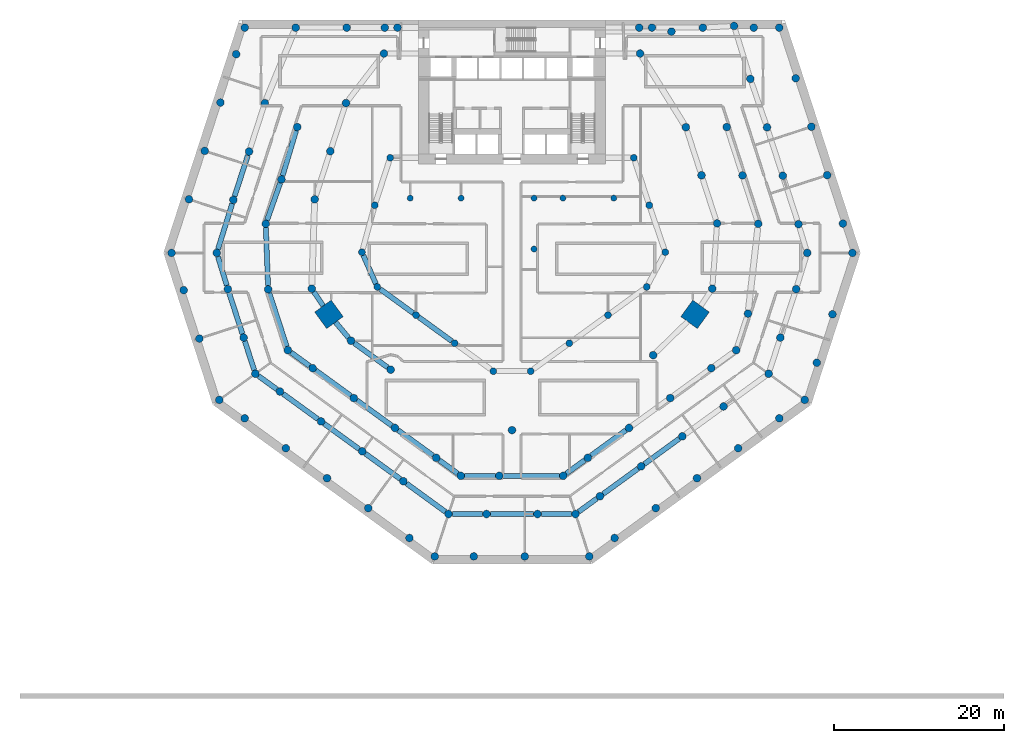
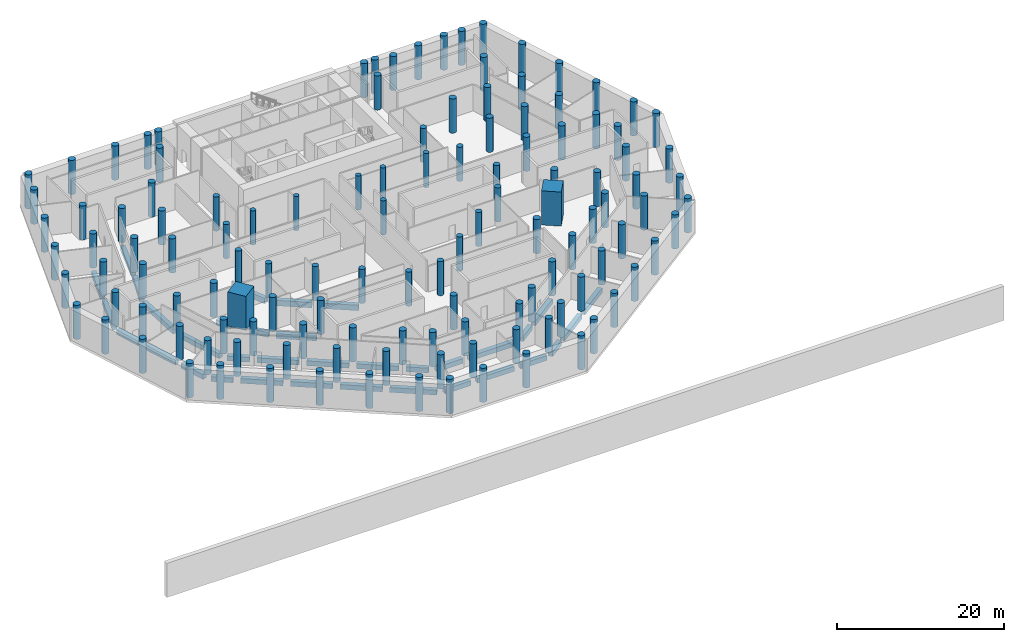
# One storey, part 1 of 10: 126 columns, 35 beams.
"""IFC4 building model written with IfcOpenShell, lengths in metres."""

from ifc_helpers import new_model, si_unit, direction, frame, origin, origin_2d, place, context, subcontext, project, spatial, rectangle, circle, extrude, material, material_profile, profile_set, type_object, element, save


model = new_model("IFC4")

# Units and contexts
model_context = context("Model", 3, precision=1e-05, world=origin(), true_north=direction((0.0, 1.0)))
body_context = subcontext(model_context, "Body", "Model", "MODEL_VIEW")
ifc_project = project(units=[si_unit("LENGTHUNIT", "METRE"), si_unit("AREAUNIT", "SQUARE_METRE"), si_unit("VOLUMEUNIT", "CUBIC_METRE"), si_unit("PLANEANGLEUNIT", "RADIAN"), si_unit("MASSUNIT", "GRAM", prefix="KILO")], contexts=[model_context])

# Site, building, storey
site_placement = place(None, origin())
site = spatial("IfcSite", under=ifc_project, at=site_placement, CompositionType="ELEMENT")
building_placement = place(site_placement, origin())
building = spatial("IfcBuilding", under=site, at=building_placement, Name="White Candle Pilgrim Tower", CompositionType="ELEMENT")
storey_placement = place(building_placement, frame((0.0, 0.0, -5.0)))
storey = spatial("IfcBuildingStorey", under=building, at=storey_placement, Name="B1", CompositionType="ELEMENT", Elevation=-5.0)

# Columns
ifc_material_1 = material(Name="Concrete C80/95", Category="concrete")
ifc_material_profile_1 = material_profile(ifc_material_1, circle(Radius=0.35009765625, at=origin_2d()), Name="RC-COL D700")
ifc_profile_set_1 = profile_set([ifc_material_profile_1], Name="Concrete C80/95")
column_type_1 = type_object("IfcColumnType", Name="Interior column RC-COL D700 C80/95", PredefinedType="COLUMN", material=ifc_profile_set_1)
for number, where, z_axis, x_axis, name in (
    (1, (58.0, 67.0, 0.0), (0.0, 0.0, 1.0), (1.0, 0.0, 0.0), "B1 column I01"),
    (2, (64.0, 67.0, 0.0), (0.0, 0.0, 1.0), (1.0, 0.0, 0.0), "B1 column I02"),
    (3, (72.60009765625, 61.0, 0.0), (0.0, 0.0, 1.0), (1.0, 0.0, 0.0), "B1 column I03"),
    (4, (72.60009765625, 67.0, 0.0), (0.0, 0.0, 1.0), (1.0, 0.0, 0.0), "B1 column I04"),
    (5, (76.0, 67.0, 0.0), (0.0, 0.0, 1.0), (1.0, 0.0, 0.0), "B1 column I05"),
    (6, (82.0, 67.0, 0.0), (0.0, 0.0, 1.0), (1.0, 0.0, 0.0), "B1 column I06"),
):
    element("IfcColumn", number, at=place(storey_placement, frame(where, z_axis=z_axis, x_axis=x_axis)), inside=storey, type_object=column_type_1, Name=name, PredefinedType="COLUMN", context=body_context, shape_type="SweptSolid", body=[
        extrude(circle(Radius=0.35009765625, at=origin_2d()), origin(), (0.0, 0.0, 1.0), 5.0),
    ])
ifc_material_profile_2 = material_profile(ifc_material_1, rectangle(XDim=2.39990234375, YDim=2.39990234375, at=origin_2d()), Name="RC 2400x2400")
ifc_profile_set_2 = profile_set([ifc_material_profile_2], Name="Concrete C80/95")
column_type_2 = type_object("IfcColumnType", Name="Mega column RC 2400x2400 C80/95", PredefinedType="COLUMN", material=ifc_profile_set_2)
for number, where, z_axis, x_axis, name in (
    (7, (48.419921875, 53.300048828125, 0.0), (0.0, 0.0, 1.0), (-0.809016994375, -0.587785252292, 0.0), "B1 mega column T02"),
    (8, (91.580078125, 53.300048828125, 0.0), (0.0, 0.0, 1.0), (0.809016994375, -0.587785252292, 0.0), "B1 mega column T07"),
):
    element("IfcColumn", number, at=place(storey_placement, frame(where, z_axis=z_axis, x_axis=x_axis)), inside=storey, type_object=column_type_2, Name=name, PredefinedType="COLUMN", context=body_context, shape_type="SweptSolid", body=[
        extrude(rectangle(XDim=2.39990234375, YDim=2.39990234375, at=origin_2d()), origin(), (0.0, 0.0, 1.0), 5.0),
    ])
ifc_material_profile_3 = material_profile(ifc_material_1, circle(Radius=0.449951171875, at=origin_2d()), Name="RC-COL D900")
ifc_profile_set_3 = profile_set([ifc_material_profile_3], Name="Concrete C80/95")
column_type_3 = type_object("IfcColumnType", Name="Perimeter column RC-COL D900 C80/95", PredefinedType="COLUMN", material=ifc_profile_set_3)
for number, where, z_axis, x_axis, name in (
    (9, (46.389892578125, 56.330078125, 0.0), (0.0, 0.0, 1.0), (1.0, 0.0, 0.0), "B1 column T01"),
    (10, (51.02001953125, 50.18994140625, 0.0), (0.0, 0.0, 1.0), (1.0, 0.0, 0.0), "B1 column T03"),
    (11, (55.699951171875, 46.780029296875, 0.0), (0.0, 0.0, 1.0), (1.0, 0.0, 0.0), "B1 column T04"),
    (12, (70.0, 39.64990234375, 0.0), (0.0, 0.0, 1.0), (1.0, 0.0, 0.0), "B1 column T05"),
    (13, (86.639892578125, 48.489990234375, 0.0), (0.0, 0.0, 1.0), (1.0, 0.0, 0.0), "B1 column T06"),
    (14, (93.610107421875, 56.330078125, 0.0), (0.0, 0.0, 1.0), (1.0, 0.0, 0.0), "B1 column T08"),
    (15, (94.179931640625, 64.02001953125, 0.0), (0.0, 0.0, 1.0), (1.0, 0.0, 0.0), "B1 column T09"),
    (16, (92.340087890625, 69.68994140625, 0.0), (0.0, 0.0, 1.0), (1.0, 0.0, 0.0), "B1 column T10"),
    (17, (90.5, 75.360107421875, 0.0), (0.0, 0.0, 1.0), (1.0, 0.0, 0.0), "B1 column T11"),
    (18, (85.10009765625, 84.050048828125, 0.0), (0.0, 0.0, 1.0), (1.0, 0.0, 0.0), "B1 column T12"),
    (19, (54.89990234375, 84.050048828125, 0.0), (0.0, 0.0, 1.0), (1.0, 0.0, 0.0), "B1 column T13"),
    (20, (50.429931640625, 78.199951171875, 0.0), (0.0, 0.0, 1.0), (1.0, 0.0, 0.0), "B1 column T14"),
    (21, (48.580078125, 72.530029296875, 0.0), (0.0, 0.0, 1.0), (1.0, 0.0, 0.0), "B1 column T15"),
    (22, (46.739990234375, 66.860107421875, 0.0), (0.0, 0.0, 1.0), (1.0, 0.0, 0.0), "B1 column T16"),
    (23, (29.865966796875, 60.5390625, 0.0), (0.0, 0.0, 1.0), (1.0, 0.0, 0.0), "B1 column A01"),
    (24, (31.291015625, 56.154052734375, 0.0), (0.0, 0.0, 1.0), (1.0, 0.0, 0.0), "B1 column A02"),
    (25, (33.14501953125, 50.447998046875, 0.0), (0.0, 0.0, 1.0), (1.0, 0.0, 0.0), "B1 column A03"),
    (26, (35.4970703125, 43.2099609375, 0.0), (0.0, 0.0, 1.0), (1.0, 0.0, 0.0), "B1 column A04"),
    (27, (38.485107421875, 41.0390625, 0.0), (0.0, 0.0, 1.0), (1.0, 0.0, 0.0), "B1 column A05"),
    (28, (43.339111328125, 37.511962890625, 0.0), (0.0, 0.0, 1.0), (1.0, 0.0, 0.0), "B1 column A06"),
    (29, (48.193115234375, 33.985107421875, 0.0), (0.0, 0.0, 1.0), (1.0, 0.0, 0.0), "B1 column A07"),
    (30, (53.047119140625, 30.458984375, 0.0), (0.0, 0.0, 1.0), (1.0, 0.0, 0.0), "B1 column A08"),
    (31, (57.90087890625, 26.931884765625, 0.0), (0.0, 0.0, 1.0), (1.0, 0.0, 0.0), "B1 column A09"),
    (32, (60.888916015625, 24.760986328125, 0.0), (0.0, 0.0, 1.0), (1.0, 0.0, 0.0), "B1 column A10"),
    (33, (65.5, 24.760986328125, 0.0), (0.0, 0.0, 1.0), (1.0, 0.0, 0.0), "B1 column A11"),
    (34, (71.5, 24.760986328125, 0.0), (0.0, 0.0, 1.0), (1.0, 0.0, 0.0), "B1 column A12"),
    (35, (79.111083984375, 24.760986328125, 0.0), (0.0, 0.0, 1.0), (1.0, 0.0, 0.0), "B1 column A13"),
    (36, (82.09912109375, 26.931884765625, 0.0), (0.0, 0.0, 1.0), (1.0, 0.0, 0.0), "B1 column A14"),
    (37, (86.952880859375, 30.458984375, 0.0), (0.0, 0.0, 1.0), (1.0, 0.0, 0.0), "B1 column A15"),
    (38, (91.806884765625, 33.985107421875, 0.0), (0.0, 0.0, 1.0), (1.0, 0.0, 0.0), "B1 column A16"),
    (39, (96.660888671875, 37.511962890625, 0.0), (0.0, 0.0, 1.0), (1.0, 0.0, 0.0), "B1 column A17"),
    (40, (101.514892578125, 41.0390625, 0.0), (0.0, 0.0, 1.0), (1.0, 0.0, 0.0), "B1 column A18"),
    (41, (104.5029296875, 43.2099609375, 0.0), (0.0, 0.0, 1.0), (1.0, 0.0, 0.0), "B1 column A19"),
    (42, (105.927978515625, 47.594970703125, 0.0), (0.0, 0.0, 1.0), (1.0, 0.0, 0.0), "B1 column A20"),
    (43, (107.781982421875, 53.301025390625, 0.0), (0.0, 0.0, 1.0), (1.0, 0.0, 0.0), "B1 column A21"),
    (44, (110.134033203125, 60.5390625, 0.0), (0.0, 0.0, 1.0), (1.0, 0.0, 0.0), "B1 column A22"),
    (45, (109.008056640625, 64.0048828125, 0.0), (0.0, 0.0, 1.0), (1.0, 0.0, 0.0), "B1 column A23"),
    (46, (107.153076171875, 69.7119140625, 0.0), (0.0, 0.0, 1.0), (1.0, 0.0, 0.0), "B1 column A24"),
    (47, (105.299072265625, 75.41796875, 0.0), (0.0, 0.0, 1.0), (1.0, 0.0, 0.0), "B1 column A25"),
    (48, (103.445068359375, 81.1240234375, 0.0), (0.0, 0.0, 1.0), (1.0, 0.0, 0.0), "B1 column A26"),
    (49, (101.50390625, 87.10009765625, 0.0), (0.0, 0.0, 1.0), (1.0, 0.0, 0.0), "B1 column A27"),
    (50, (98.5, 87.10009765625, 0.0), (0.0, 0.0, 1.0), (1.0, 0.0, 0.0), "B1 column A28"),
    (51, (92.5, 87.10009765625, 0.0), (0.0, 0.0, 1.0), (1.0, 0.0, 0.0), "B1 column A29"),
    (52, (86.5, 87.10009765625, 0.0), (0.0, 0.0, 1.0), (1.0, 0.0, 0.0), "B1 column A30"),
    (53, (56.5, 87.10009765625, 0.0), (0.0, 0.0, 1.0), (1.0, 0.0, 0.0), "B1 column A31"),
    (54, (50.5, 87.10009765625, 0.0), (0.0, 0.0, 1.0), (1.0, 0.0, 0.0), "B1 column A32"),
    (55, (44.5, 87.10009765625, 0.0), (0.0, 0.0, 1.0), (1.0, 0.0, 0.0), "B1 column A33"),
    (56, (38.49609375, 87.10009765625, 0.0), (0.0, 0.0, 1.0), (1.0, 0.0, 0.0), "B1 column A34"),
    (57, (37.48193359375, 83.97802734375, 0.0), (0.0, 0.0, 1.0), (1.0, 0.0, 0.0), "B1 column A35"),
    (58, (35.6279296875, 78.27099609375, 0.0), (0.0, 0.0, 1.0), (1.0, 0.0, 0.0), "B1 column A36"),
    (59, (33.77392578125, 72.56494140625, 0.0), (0.0, 0.0, 1.0), (1.0, 0.0, 0.0), "B1 column A37"),
    (60, (31.919921875, 66.85888671875, 0.0), (0.0, 0.0, 1.0), (1.0, 0.0, 0.0), "B1 column A38"),
    (61, (35.199951171875, 60.5390625, 0.0), (0.0, 0.0, 1.0), (1.0, 0.0, 0.0), "B1 column B01"),
    (62, (36.510009765625, 56.27294921875, 0.0), (0.0, 0.0, 1.0), (1.0, 0.0, 0.0), "B1 column B02"),
    (63, (38.364013671875, 50.56591796875, 0.0), (0.0, 0.0, 1.0), (1.0, 0.0, 0.0), "B1 column B03"),
    (64, (39.75, 46.300048828125, 0.0), (0.0, 0.0, 1.0), (1.0, 0.0, 0.0), "B1 column B04"),
    (65, (42.636962890625, 44.201904296875, 0.0), (0.0, 0.0, 1.0), (1.0, 0.0, 0.0), "B1 column B05"),
    (66, (47.491943359375, 40.676025390625, 0.0), (0.0, 0.0, 1.0), (1.0, 0.0, 0.0), "B1 column B06"),
    (67, (52.345947265625, 37.14892578125, 0.0), (0.0, 0.0, 1.0), (1.0, 0.0, 0.0), "B1 column B07"),
    (68, (57.199951171875, 33.6220703125, 0.0), (0.0, 0.0, 1.0), (1.0, 0.0, 0.0), "B1 column B08"),
    (69, (62.513916015625, 29.760986328125, 0.0), (0.0, 0.0, 1.0), (1.0, 0.0, 0.0), "B1 column B09"),
    (70, (67.0, 29.760986328125, 0.0), (0.0, 0.0, 1.0), (1.0, 0.0, 0.0), "B1 column B10"),
    (71, (73.0, 29.760986328125, 0.0), (0.0, 0.0, 1.0), (1.0, 0.0, 0.0), "B1 column B11"),
    (72, (77.486083984375, 29.760986328125, 0.0), (0.0, 0.0, 1.0), (1.0, 0.0, 0.0), "B1 column B12"),
    (73, (80.373046875, 31.85888671875, 0.0), (0.0, 0.0, 1.0), (1.0, 0.0, 0.0), "B1 column B13"),
    (74, (85.22705078125, 35.385986328125, 0.0), (0.0, 0.0, 1.0), (1.0, 0.0, 0.0), "B1 column B14"),
    (75, (90.0810546875, 38.912109375, 0.0), (0.0, 0.0, 1.0), (1.0, 0.0, 0.0), "B1 column B15"),
    (76, (94.93603515625, 42.43896484375, 0.0), (0.0, 0.0, 1.0), (1.0, 0.0, 0.0), "B1 column B16"),
    (77, (100.25, 46.300048828125, 0.0), (0.0, 0.0, 1.0), (1.0, 0.0, 0.0), "B1 column B17"),
    (78, (101.635986328125, 50.56591796875, 0.0), (0.0, 0.0, 1.0), (1.0, 0.0, 0.0), "B1 column B18"),
    (79, (103.489990234375, 56.27294921875, 0.0), (0.0, 0.0, 1.0), (1.0, 0.0, 0.0), "B1 column B19"),
    (80, (104.800048828125, 60.5390625, 0.0), (0.0, 0.0, 1.0), (1.0, 0.0, 0.0), "B1 column B20"),
    (81, (103.77392578125, 63.93310546875, 0.0), (0.0, 0.0, 1.0), (1.0, 0.0, 0.0), "B1 column B21"),
    (82, (101.9189453125, 69.639892578125, 0.0), (0.0, 0.0, 1.0), (1.0, 0.0, 0.0), "B1 column B22"),
    (83, (100.06494140625, 75.345947265625, 0.0), (0.0, 0.0, 1.0), (1.0, 0.0, 0.0), "B1 column B23"),
    (84, (98.10107421875, 81.052001953125, 0.0), (0.0, 0.0, 1.0), (1.0, 0.0, 0.0), "B1 column B24"),
    (85, (96.180908203125, 87.300048828125, 0.0), (0.0, 0.0, 1.0), (1.0, 0.0, 0.0), "B1 column B25"),
    (86, (40.862060546875, 78.198974609375, 0.0), (0.0, 0.0, 1.0), (1.0, 0.0, 0.0), "B1 column B33"),
    (87, (39.008056640625, 72.492919921875, 0.0), (0.0, 0.0, 1.0), (1.0, 0.0, 0.0), "B1 column B34"),
    (88, (37.153076171875, 66.787109375, 0.0), (0.0, 0.0, 1.0), (1.0, 0.0, 0.0), "B1 column B35"),
    (89, (41.2529296875, 56.237060546875, 0.0), (0.0, 0.0, 1.0), (1.0, 0.0, 0.0), "B1 column C01"),
    (90, (43.577880859375, 49.0810546875, 0.0), (0.0, 0.0, 1.0), (1.0, 0.0, 0.0), "B1 column C02"),
    (91, (46.49609375, 46.9609375, 0.0), (0.0, 0.0, 1.0), (1.0, 0.0, 0.0), "B1 column C03"),
    (92, (51.35009765625, 43.43408203125, 0.0), (0.0, 0.0, 1.0), (1.0, 0.0, 0.0), "B1 column C04"),
    (93, (56.2041015625, 39.907958984375, 0.0), (0.0, 0.0, 1.0), (1.0, 0.0, 0.0), "B1 column C05"),
    (94, (61.05810546875, 36.381103515625, 0.0), (0.0, 0.0, 1.0), (1.0, 0.0, 0.0), "B1 column C06"),
    (95, (63.97607421875, 34.260986328125, 0.0), (0.0, 0.0, 1.0), (1.0, 0.0, 0.0), "B1 column C07"),
    (96, (68.5, 34.260986328125, 0.0), (0.0, 0.0, 1.0), (1.0, 0.0, 0.0), "B1 column C08"),
    (97, (76.02392578125, 34.260986328125, 0.0), (0.0, 0.0, 1.0), (1.0, 0.0, 0.0), "B1 column C09"),
    (98, (78.94189453125, 36.381103515625, 0.0), (0.0, 0.0, 1.0), (1.0, 0.0, 0.0), "B1 column C10"),
    (99, (83.7958984375, 39.907958984375, 0.0), (0.0, 0.0, 1.0), (1.0, 0.0, 0.0), "B1 column C11"),
    (100, (88.64990234375, 43.43408203125, 0.0), (0.0, 0.0, 1.0), (1.0, 0.0, 0.0), "B1 column C12"),
    (101, (93.50390625, 46.9609375, 0.0), (0.0, 0.0, 1.0), (1.0, 0.0, 0.0), "B1 column C13"),
    (102, (96.422119140625, 49.0810546875, 0.0), (0.0, 0.0, 1.0), (1.0, 0.0, 0.0), "B1 column C14"),
    (103, (97.820068359375, 53.384033203125, 0.0), (0.0, 0.0, 1.0), (1.0, 0.0, 0.0), "B1 column C15"),
    (104, (99.030029296875, 63.968994140625, 0.0), (0.0, 0.0, 1.0), (1.0, 0.0, 0.0), "B1 column C16"),
    (105, (97.176025390625, 69.676025390625, 0.0), (0.0, 0.0, 1.0), (1.0, 0.0, 0.0), "B1 column C17"),
    (106, (95.322021484375, 75.382080078125, 0.0), (0.0, 0.0, 1.0), (1.0, 0.0, 0.0), "B1 column C18"),
    (107, (88.800048828125, 86.631103515625, 0.0), (0.0, 0.0, 1.0), (1.0, 0.0, 0.0), "B1 column C19"),
    (108, (85.0, 87.10009765625, 0.0), (0.0, 0.0, 1.0), (1.0, 0.0, 0.0), "B1 column C20"),
    (109, (55.0, 87.10009765625, 0.0), (0.0, 0.0, 1.0), (1.0, 0.0, 0.0), "B1 column C21"),
    (110, (44.677978515625, 75.382080078125, 0.0), (0.0, 0.0, 1.0), (1.0, 0.0, 0.0), "B1 column C23"),
    (111, (42.823974609375, 69.20703125, 0.0), (0.0, 0.0, 1.0), (1.0, 0.0, 0.0), "B1 column C24"),
    (112, (40.969970703125, 63.968994140625, 0.0), (0.0, 0.0, 1.0), (1.0, 0.0, 0.0), "B1 column C25"),
):
    element("IfcColumn", number, at=place(storey_placement, frame(where, z_axis=z_axis, x_axis=x_axis)), inside=storey, type_object=column_type_3, Name=name, PredefinedType="COLUMN", context=body_context, shape_type="SweptSolid", body=[
        extrude(circle(Radius=0.449951171875, at=origin_2d()), origin(), (0.0, 0.0, 1.0), 5.0),
    ])
ifc_material_profile_4 = material_profile(ifc_material_1, circle(Radius=0.39990234375, at=origin_2d()), Name="RC-COL D800")
ifc_profile_set_4 = profile_set([ifc_material_profile_4], Name="Concrete C80/95")
column_type_4 = type_object("IfcColumnType", Name="Ring column RC-COL D800 C80/95", PredefinedType="COLUMN", material=ifc_profile_set_4)
for number, where, z_axis, x_axis, name in (
    (113, (52.31005859375, 60.6298828125, 0.0), (0.0, 0.0, 1.0), (1.0, 0.0, 0.0), "B1 column R01"),
    (114, (54.1201171875, 56.530029296875, 0.0), (0.0, 0.0, 1.0), (1.0, 0.0, 0.0), "B1 column R02"),
    (115, (58.679931640625, 53.2099609375, 0.0), (0.0, 0.0, 1.0), (1.0, 0.0, 0.0), "B1 column R03"),
    (116, (63.239990234375, 49.89990234375, 0.0), (0.0, 0.0, 1.0), (1.0, 0.0, 0.0), "B1 column R04"),
    (117, (67.800048828125, 46.60009765625, 0.0), (0.0, 0.0, 1.0), (1.0, 0.0, 0.0), "B1 column R05"),
    (118, (72.199951171875, 46.60009765625, 0.0), (0.0, 0.0, 1.0), (1.0, 0.0, 0.0), "B1 column R06"),
    (119, (76.760009765625, 49.89990234375, 0.0), (0.0, 0.0, 1.0), (1.0, 0.0, 0.0), "B1 column R07"),
    (120, (81.320068359375, 53.2099609375, 0.0), (0.0, 0.0, 1.0), (1.0, 0.0, 0.0), "B1 column R08"),
    (121, (85.8798828125, 56.530029296875, 0.0), (0.0, 0.0, 1.0), (1.0, 0.0, 0.0), "B1 column R09"),
    (122, (88.070068359375, 60.6298828125, 0.0), (0.0, 0.0, 1.0), (1.0, 0.0, 0.0), "B1 column R10"),
    (123, (86.179931640625, 66.159912109375, 0.0), (0.0, 0.0, 1.0), (1.0, 0.0, 0.0), "B1 column R11"),
    (124, (84.360107421875, 71.760009765625, 0.0), (0.0, 0.0, 1.0), (1.0, 0.0, 0.0), "B1 column R12"),
    (125, (55.639892578125, 71.760009765625, 0.0), (0.0, 0.0, 1.0), (1.0, 0.0, 0.0), "B1 column R13"),
    (126, (53.820068359375, 66.159912109375, 0.0), (0.0, 0.0, 1.0), (1.0, 0.0, 0.0), "B1 column R14"),
):
    element("IfcColumn", number, at=place(storey_placement, frame(where, z_axis=z_axis, x_axis=x_axis)), inside=storey, type_object=column_type_4, Name=name, PredefinedType="COLUMN", context=body_context, shape_type="SweptSolid", body=[
        extrude(circle(Radius=0.39990234375, at=origin_2d()), origin(), (0.0, 0.0, 1.0), 5.0),
    ])

# Beams
ifc_material_2 = material(Name="Concrete C50/60", Category="concrete")
ifc_material_profile_5 = material_profile(ifc_material_2, rectangle(XDim=0.60009765625, YDim=0.800048828125, at=origin_2d()), Name="RC-BM 600x800")
ifc_profile_set_5 = profile_set([ifc_material_profile_5], Name="Concrete C50/60")
beam_type_1 = type_object("IfcBeamType", Name="Ring beam RC-BM 600x800 C50/60", PredefinedType="BEAM", material=ifc_profile_set_5)
beam_1_placement = place(storey_placement, frame((52.471435546875, 60.264404296875, -0.75), z_axis=(0.403842605997, -0.914828480963, 0.0), x_axis=(0.914828480963, 0.403842605997, 0.0)))
element("IfcBeam", 127, at=beam_1_placement, inside=storey, type_object=beam_type_1, Name="B1 ring beam R01", PredefinedType="BEAM", context=body_context, shape_type="SweptSolid", body=[
    extrude(rectangle(XDim=0.60009765625, YDim=0.800048828125, at=origin_2d()), origin(), (0.0, 0.0, 1.0), 3.682373046875),
])
beam_2_placement = place(storey_placement, frame((54.443115234375, 56.294677734375, -0.75), z_axis=(0.808428473545, -0.588594430115, 0.0), x_axis=(0.588594430115, 0.808428473545, 0.0)))
element("IfcBeam", 128, at=beam_2_placement, inside=storey, type_object=beam_type_1, Name="B1 ring beam R02", PredefinedType="BEAM", context=body_context, shape_type="SweptSolid", body=[
    extrude(rectangle(XDim=0.60009765625, YDim=0.800048828125, at=origin_2d()), origin(), (0.0, 0.0, 1.0), 4.841064453125),
])
beam_3_placement = place(storey_placement, frame((59.00341796875, 52.97509765625, -0.75), z_axis=(0.809305595912, -0.587387821141, 0.0), x_axis=(0.587387821141, 0.809305595912, 0.0)))
element("IfcBeam", 129, at=beam_3_placement, inside=storey, type_object=beam_type_1, Name="B1 ring beam R03", PredefinedType="BEAM", context=body_context, shape_type="SweptSolid", body=[
    extrude(rectangle(XDim=0.60009765625, YDim=0.800048828125, at=origin_2d()), origin(), (0.0, 0.0, 1.0), 4.835205078125),
])
ifc_material_profile_6 = material_profile(ifc_material_2, rectangle(XDim=0.60009765625, YDim=0.699951171875, at=origin_2d()), Name="RC-BM 600x700")
ifc_profile_set_6 = profile_set([ifc_material_profile_6], Name="Concrete C50/60")
beam_type_2 = type_object("IfcBeamType", Name="Spandrel beam RC-BM 600x700 C50/60", PredefinedType="BEAM", material=ifc_profile_set_6)
beam_4_placement = place(storey_placement, frame((46.640380859375, 55.956298828125, -0.699951171875), z_axis=(0.556617573138, -0.830768847077, 0.0), x_axis=(0.830768847077, 0.556617573138, 0.0)))
element("IfcBeam", 130, at=beam_4_placement, inside=storey, type_object=beam_type_2, Name="B1 spandrel beam T01", PredefinedType="BEAM", context=body_context, shape_type="SweptSolid", body=[
    extrude(rectangle(XDim=0.60009765625, YDim=0.699951171875, at=origin_2d()), origin(), (0.0, 0.0, 1.0), 1.99658203125),
])
beam_5_placement = place(storey_placement, frame((49.19140625, 52.377197265625, -0.699951171875), z_axis=(0.641413771477, -0.767195134083, 0.0), x_axis=(0.767195134083, 0.641413771477, 0.0)))
element("IfcBeam", 131, at=beam_5_placement, inside=storey, type_object=beam_type_2, Name="B1 spandrel beam T02", PredefinedType="BEAM", context=body_context, shape_type="SweptSolid", body=[
    extrude(rectangle(XDim=0.60009765625, YDim=0.699951171875, at=origin_2d()), origin(), (0.0, 0.0, 1.0), 2.401123046875),
])
beam_6_placement = place(storey_placement, frame((51.383544921875, 49.925048828125, -0.699951171875), z_axis=(0.808219865497, -0.588880844498, 0.0), x_axis=(0.588880844498, 0.808219865497, 0.0)))
element("IfcBeam", 132, at=beam_6_placement, inside=storey, type_object=beam_type_2, Name="B1 spandrel beam T03", PredefinedType="BEAM", context=body_context, shape_type="SweptSolid", body=[
    extrude(rectangle(XDim=0.60009765625, YDim=0.699951171875, at=origin_2d()), origin(), (0.0, 0.0, 1.0), 4.890869140625),
])
beam_7_placement = place(storey_placement, frame((35.33203125, 60.109130859375, -0.699951171875), z_axis=(0.293527291605, -0.955950693856, 0.0), x_axis=(0.955950693856, 0.293527291605, 0.0)))
element("IfcBeam", 133, at=beam_7_placement, inside=storey, type_object=beam_type_2, Name="B1 spandrel beam B01", PredefinedType="BEAM", context=body_context, shape_type="SweptSolid", body=[
    extrude(rectangle(XDim=0.60009765625, YDim=0.699951171875, at=origin_2d()), origin(), (0.0, 0.0, 1.0), 3.563232421875),
])
beam_8_placement = place(storey_placement, frame((36.64892578125, 55.84521484375, -0.699951171875), z_axis=(0.308996245399, -0.951063257796, 0.0), x_axis=(0.951063257796, 0.308996245399, 0.0)))
element("IfcBeam", 134, at=beam_8_placement, inside=storey, type_object=beam_type_2, Name="B1 spandrel beam B02", PredefinedType="BEAM", context=body_context, shape_type="SweptSolid", body=[
    extrude(rectangle(XDim=0.60009765625, YDim=0.699951171875, at=origin_2d()), origin(), (0.0, 0.0, 1.0), 5.100830078125),
])
beam_9_placement = place(storey_placement, frame((38.5029296875, 50.13818359375, -0.699951171875), z_axis=(0.309029111375, -0.951052579158, 0.0), x_axis=(0.951052579158, 0.309029111375, 0.0)))
element("IfcBeam", 135, at=beam_9_placement, inside=storey, type_object=beam_type_2, Name="B1 spandrel beam B03", PredefinedType="BEAM", context=body_context, shape_type="SweptSolid", body=[
    extrude(rectangle(XDim=0.60009765625, YDim=0.699951171875, at=origin_2d()), origin(), (0.0, 0.0, 1.0), 3.5859375),
])
beam_10_placement = place(storey_placement, frame((40.11376953125, 46.03564453125, -0.699951171875), z_axis=(0.808941690676, -0.587888884982, 0.0), x_axis=(0.587888884982, 0.808941690676, 0.0)))
element("IfcBeam", 136, at=beam_10_placement, inside=storey, type_object=beam_type_2, Name="B1 spandrel beam B04", PredefinedType="BEAM", context=body_context, shape_type="SweptSolid", body=[
    extrude(rectangle(XDim=0.60009765625, YDim=0.699951171875, at=origin_2d()), origin(), (0.0, 0.0, 1.0), 2.66943359375),
])
beam_11_placement = place(storey_placement, frame((43.0009765625, 43.937744140625, -0.699951171875), z_axis=(0.809112607881, -0.587653629078, 0.0), x_axis=(0.587653629078, 0.809112607881, 0.0)))
element("IfcBeam", 137, at=beam_11_placement, inside=storey, type_object=beam_type_2, Name="B1 spandrel beam B05", PredefinedType="BEAM", context=body_context, shape_type="SweptSolid", body=[
    extrude(rectangle(XDim=0.60009765625, YDim=0.699951171875, at=origin_2d()), origin(), (0.0, 0.0, 1.0), 5.100830078125),
])
beam_12_placement = place(storey_placement, frame((47.85595703125, 40.41162109375, -0.699951171875), z_axis=(0.808978190317, -0.587838657789, 0.0), x_axis=(0.587838657789, 0.808978190317, 0.0)))
element("IfcBeam", 138, at=beam_12_placement, inside=storey, type_object=beam_type_2, Name="B1 spandrel beam B06", PredefinedType="BEAM", context=body_context, shape_type="SweptSolid", body=[
    extrude(rectangle(XDim=0.60009765625, YDim=0.699951171875, at=origin_2d()), origin(), (0.0, 0.0, 1.0), 5.1005859375),
])
beam_13_placement = place(storey_placement, frame((52.7099609375, 36.884521484375, -0.699951171875), z_axis=(0.80900095282, -0.587807330965, 0.0), x_axis=(0.587807330965, 0.80900095282, 0.0)))
element("IfcBeam", 139, at=beam_13_placement, inside=storey, type_object=beam_type_2, Name="B1 spandrel beam B07", PredefinedType="BEAM", context=body_context, shape_type="SweptSolid", body=[
    extrude(rectangle(XDim=0.60009765625, YDim=0.699951171875, at=origin_2d()), origin(), (0.0, 0.0, 1.0), 5.100341796875),
])
beam_14_placement = place(storey_placement, frame((57.56396484375, 33.357666015625, -0.699951171875), z_axis=(0.808998591139, -0.587810581339, 0.0), x_axis=(0.587810581339, 0.808998591139, 0.0)))
element("IfcBeam", 140, at=beam_14_placement, inside=storey, type_object=beam_type_2, Name="B1 spandrel beam B08", PredefinedType="BEAM", context=body_context, shape_type="SweptSolid", body=[
    extrude(rectangle(XDim=0.60009765625, YDim=0.699951171875, at=origin_2d()), origin(), (0.0, 0.0, 1.0), 5.6689453125),
])
beam_15_placement = place(storey_placement, frame((62.964111328125, 29.760986328125, -0.699951171875), z_axis=(1.0, 0.0, 0.0), x_axis=(0.0, 1.0, 0.0)))
element("IfcBeam", 141, at=beam_15_placement, inside=storey, type_object=beam_type_2, Name="B1 spandrel beam B09", PredefinedType="BEAM", context=body_context, shape_type="SweptSolid", body=[
    extrude(rectangle(XDim=0.60009765625, YDim=0.699951171875, at=origin_2d()), origin(), (0.0, 0.0, 1.0), 3.5859375),
])
beam_16_placement = place(storey_placement, frame((67.449951171875, 29.760986328125, -0.699951171875), z_axis=(1.0, 0.0, 0.0), x_axis=(0.0, 1.0, 0.0)))
element("IfcBeam", 142, at=beam_16_placement, inside=storey, type_object=beam_type_2, Name="B1 spandrel beam B10", PredefinedType="BEAM", context=body_context, shape_type="SweptSolid", body=[
    extrude(rectangle(XDim=0.60009765625, YDim=0.699951171875, at=origin_2d()), origin(), (0.0, 0.0, 1.0), 5.10009765625),
])
beam_17_placement = place(storey_placement, frame((73.449951171875, 29.760986328125, -0.699951171875), z_axis=(1.0, 0.0, 0.0), x_axis=(0.0, 1.0, 0.0)))
element("IfcBeam", 143, at=beam_17_placement, inside=storey, type_object=beam_type_2, Name="B1 spandrel beam B11", PredefinedType="BEAM", context=body_context, shape_type="SweptSolid", body=[
    extrude(rectangle(XDim=0.60009765625, YDim=0.699951171875, at=origin_2d()), origin(), (0.0, 0.0, 1.0), 3.5859375),
])
beam_18_placement = place(storey_placement, frame((77.849853515625, 30.025390625, -0.699951171875), z_axis=(0.808985185051, 0.58782903158, 0.0), x_axis=(-0.58782903158, 0.808985185051, 0.0)))
element("IfcBeam", 144, at=beam_18_placement, inside=storey, type_object=beam_type_2, Name="B1 spandrel beam B12", PredefinedType="BEAM", context=body_context, shape_type="SweptSolid", body=[
    extrude(rectangle(XDim=0.60009765625, YDim=0.699951171875, at=origin_2d()), origin(), (0.0, 0.0, 1.0), 2.669189453125),
])
beam_19_placement = place(storey_placement, frame((80.73681640625, 32.123291015625, -0.699951171875), z_axis=(0.808978190317, 0.587838657789, 0.0), x_axis=(-0.587838657789, 0.808978190317, 0.0)))
element("IfcBeam", 145, at=beam_19_placement, inside=storey, type_object=beam_type_2, Name="B1 spandrel beam B13", PredefinedType="BEAM", context=body_context, shape_type="SweptSolid", body=[
    extrude(rectangle(XDim=0.60009765625, YDim=0.699951171875, at=origin_2d()), origin(), (0.0, 0.0, 1.0), 5.1005859375),
])
beam_20_placement = place(storey_placement, frame((85.5908203125, 35.650390625, -0.699951171875), z_axis=(0.809069240735, 0.587713334625, 0.0), x_axis=(-0.587713334625, 0.809069240735, 0.0)))
element("IfcBeam", 146, at=beam_20_placement, inside=storey, type_object=beam_type_2, Name="B1 spandrel beam B14", PredefinedType="BEAM", context=body_context, shape_type="SweptSolid", body=[
    extrude(rectangle(XDim=0.60009765625, YDim=0.699951171875, at=origin_2d()), origin(), (0.0, 0.0, 1.0), 5.099853515625),
])
beam_21_placement = place(storey_placement, frame((38.868896484375, 72.065185546875, -0.699951171875), z_axis=(-0.30918240299, -0.951002755875, 0.0), x_axis=(0.951002755875, -0.30918240299, 0.0)))
element("IfcBeam", 147, at=beam_21_placement, inside=storey, type_object=beam_type_2, Name="B1 spandrel beam B27", PredefinedType="BEAM", context=body_context, shape_type="SweptSolid", body=[
    extrude(rectangle(XDim=0.60009765625, YDim=0.699951171875, at=origin_2d()), origin(), (0.0, 0.0, 1.0), 5.100341796875),
])
beam_22_placement = place(storey_placement, frame((37.018798828125, 66.357666015625, -0.699951171875), z_axis=(-0.298336540103, -0.95446074243, 0.0), x_axis=(0.95446074243, -0.298336540103, 0.0)))
element("IfcBeam", 148, at=beam_22_placement, inside=storey, type_object=beam_type_2, Name="B1 spandrel beam B28", PredefinedType="BEAM", context=body_context, shape_type="SweptSolid", body=[
    extrude(rectangle(XDim=0.60009765625, YDim=0.699951171875, at=origin_2d()), origin(), (0.0, 0.0, 1.0), 5.646484375),
])
beam_23_placement = place(storey_placement, frame((41.39208984375, 55.80908203125, -0.699951171875), z_axis=(0.308987736587, -0.951066022229, 0.0), x_axis=(0.951066022229, 0.308987736587, 0.0)))
element("IfcBeam", 149, at=beam_23_placement, inside=storey, type_object=beam_type_2, Name="B1 spandrel beam C01", PredefinedType="BEAM", context=body_context, shape_type="SweptSolid", body=[
    extrude(rectangle(XDim=0.60009765625, YDim=0.699951171875, at=origin_2d()), origin(), (0.0, 0.0, 1.0), 6.62451171875),
])
beam_24_placement = place(storey_placement, frame((43.94189453125, 48.816650390625, -0.699951171875), z_axis=(0.809008975915, -0.587796288598, 0.0), x_axis=(0.587796288598, 0.809008975915, 0.0)))
element("IfcBeam", 150, at=beam_24_placement, inside=storey, type_object=beam_type_2, Name="B1 spandrel beam C02", PredefinedType="BEAM", context=body_context, shape_type="SweptSolid", body=[
    extrude(rectangle(XDim=0.60009765625, YDim=0.699951171875, at=origin_2d()), origin(), (0.0, 0.0, 1.0), 2.707275390625),
])
beam_25_placement = place(storey_placement, frame((46.85986328125, 46.696533203125, -0.699951171875), z_axis=(0.80900095282, -0.587807330965, 0.0), x_axis=(0.587807330965, 0.80900095282, 0.0)))
element("IfcBeam", 151, at=beam_25_placement, inside=storey, type_object=beam_type_2, Name="B1 spandrel beam C03", PredefinedType="BEAM", context=body_context, shape_type="SweptSolid", body=[
    extrude(rectangle(XDim=0.60009765625, YDim=0.699951171875, at=origin_2d()), origin(), (0.0, 0.0, 1.0), 5.100341796875),
])
beam_26_placement = place(storey_placement, frame((51.7138671875, 43.169677734375, -0.699951171875), z_axis=(0.809069240735, -0.587713334625, 0.0), x_axis=(0.587713334625, 0.809069240735, 0.0)))
element("IfcBeam", 152, at=beam_26_placement, inside=storey, type_object=beam_type_2, Name="B1 spandrel beam C04", PredefinedType="BEAM", context=body_context, shape_type="SweptSolid", body=[
    extrude(rectangle(XDim=0.60009765625, YDim=0.699951171875, at=origin_2d()), origin(), (0.0, 0.0, 1.0), 5.099853515625),
])
beam_27_placement = place(storey_placement, frame((56.56787109375, 39.6435546875, -0.699951171875), z_axis=(0.80900095282, -0.587807330965, 0.0), x_axis=(0.587807330965, 0.80900095282, 0.0)))
element("IfcBeam", 153, at=beam_27_placement, inside=storey, type_object=beam_type_2, Name="B1 spandrel beam C05", PredefinedType="BEAM", context=body_context, shape_type="SweptSolid", body=[
    extrude(rectangle(XDim=0.60009765625, YDim=0.699951171875, at=origin_2d()), origin(), (0.0, 0.0, 1.0), 5.100341796875),
])
beam_28_placement = place(storey_placement, frame((61.421875, 36.11669921875, -0.699951171875), z_axis=(0.809008975915, -0.587796288598, 0.0), x_axis=(0.587796288598, 0.809008975915, 0.0)))
element("IfcBeam", 154, at=beam_28_placement, inside=storey, type_object=beam_type_2, Name="B1 spandrel beam C06", PredefinedType="BEAM", context=body_context, shape_type="SweptSolid", body=[
    extrude(rectangle(XDim=0.60009765625, YDim=0.699951171875, at=origin_2d()), origin(), (0.0, 0.0, 1.0), 2.707275390625),
])
beam_29_placement = place(storey_placement, frame((64.426025390625, 34.260986328125, -0.699951171875), z_axis=(1.0, 0.0, 0.0), x_axis=(0.0, 1.0, 0.0)))
element("IfcBeam", 155, at=beam_29_placement, inside=storey, type_object=beam_type_2, Name="B1 spandrel beam C07", PredefinedType="BEAM", context=body_context, shape_type="SweptSolid", body=[
    extrude(rectangle(XDim=0.60009765625, YDim=0.699951171875, at=origin_2d()), origin(), (0.0, 0.0, 1.0), 3.6240234375),
])
beam_30_placement = place(storey_placement, frame((68.949951171875, 34.260986328125, -0.699951171875), z_axis=(1.0, 0.0, 0.0), x_axis=(0.0, 1.0, 0.0)))
element("IfcBeam", 156, at=beam_30_placement, inside=storey, type_object=beam_type_2, Name="B1 spandrel beam C08", PredefinedType="BEAM", context=body_context, shape_type="SweptSolid", body=[
    extrude(rectangle(XDim=0.60009765625, YDim=0.699951171875, at=origin_2d()), origin(), (0.0, 0.0, 1.0), 6.6240234375),
])
beam_31_placement = place(storey_placement, frame((76.387939453125, 34.525390625, -0.699951171875), z_axis=(0.809008975915, 0.587796288598, 0.0), x_axis=(-0.587796288598, 0.809008975915, 0.0)))
element("IfcBeam", 157, at=beam_31_placement, inside=storey, type_object=beam_type_2, Name="B1 spandrel beam C09", PredefinedType="BEAM", context=body_context, shape_type="SweptSolid", body=[
    extrude(rectangle(XDim=0.60009765625, YDim=0.699951171875, at=origin_2d()), origin(), (0.0, 0.0, 1.0), 2.707275390625),
])
beam_32_placement = place(storey_placement, frame((79.305908203125, 36.6455078125, -0.699951171875), z_axis=(0.80900095282, 0.587807330965, 0.0), x_axis=(-0.587807330965, 0.80900095282, 0.0)))
element("IfcBeam", 158, at=beam_32_placement, inside=storey, type_object=beam_type_2, Name="B1 spandrel beam C10", PredefinedType="BEAM", context=body_context, shape_type="SweptSolid", body=[
    extrude(rectangle(XDim=0.60009765625, YDim=0.699951171875, at=origin_2d()), origin(), (0.0, 0.0, 1.0), 5.100341796875),
])
beam_33_placement = place(storey_placement, frame((44.548583984375, 74.951171875, -0.699951171875), z_axis=(-0.287541671934, -0.957768127942, 0.0), x_axis=(0.957768127942, -0.287541671934, 0.0)))
element("IfcBeam", 159, at=beam_33_placement, inside=storey, type_object=beam_type_2, Name="B1 spandrel beam C21", PredefinedType="BEAM", context=body_context, shape_type="SweptSolid", body=[
    extrude(rectangle(XDim=0.60009765625, YDim=0.699951171875, at=origin_2d()), origin(), (0.0, 0.0, 1.0), 5.5478515625),
])
beam_34_placement = place(storey_placement, frame((42.673828125, 68.782958984375, -0.699951171875), z_axis=(-0.333648181497, -0.942697666797, 0.0), x_axis=(0.942697666797, -0.333648181497, 0.0)))
element("IfcBeam", 160, at=beam_34_placement, inside=storey, type_object=beam_type_2, Name="B1 spandrel beam C22", PredefinedType="BEAM", context=body_context, shape_type="SweptSolid", body=[
    extrude(rectangle(XDim=0.60009765625, YDim=0.699951171875, at=origin_2d()), origin(), (0.0, 0.0, 1.0), 4.65673828125),
])
beam_35_placement = place(storey_placement, frame((40.986572265625, 63.51953125, -0.699951171875), z_axis=(0.036562645264, -0.999331362948, 0.0), x_axis=(0.999331362948, 0.036562645264, 0.0)))
element("IfcBeam", 161, at=beam_35_placement, inside=storey, type_object=beam_type_2, Name="B1 spandrel beam C23", PredefinedType="BEAM", context=body_context, shape_type="SweptSolid", body=[
    extrude(rectangle(XDim=0.60009765625, YDim=0.699951171875, at=origin_2d()), origin(), (0.0, 0.0, 1.0), 6.837646484375),
])

save(model, "model.ifc")
